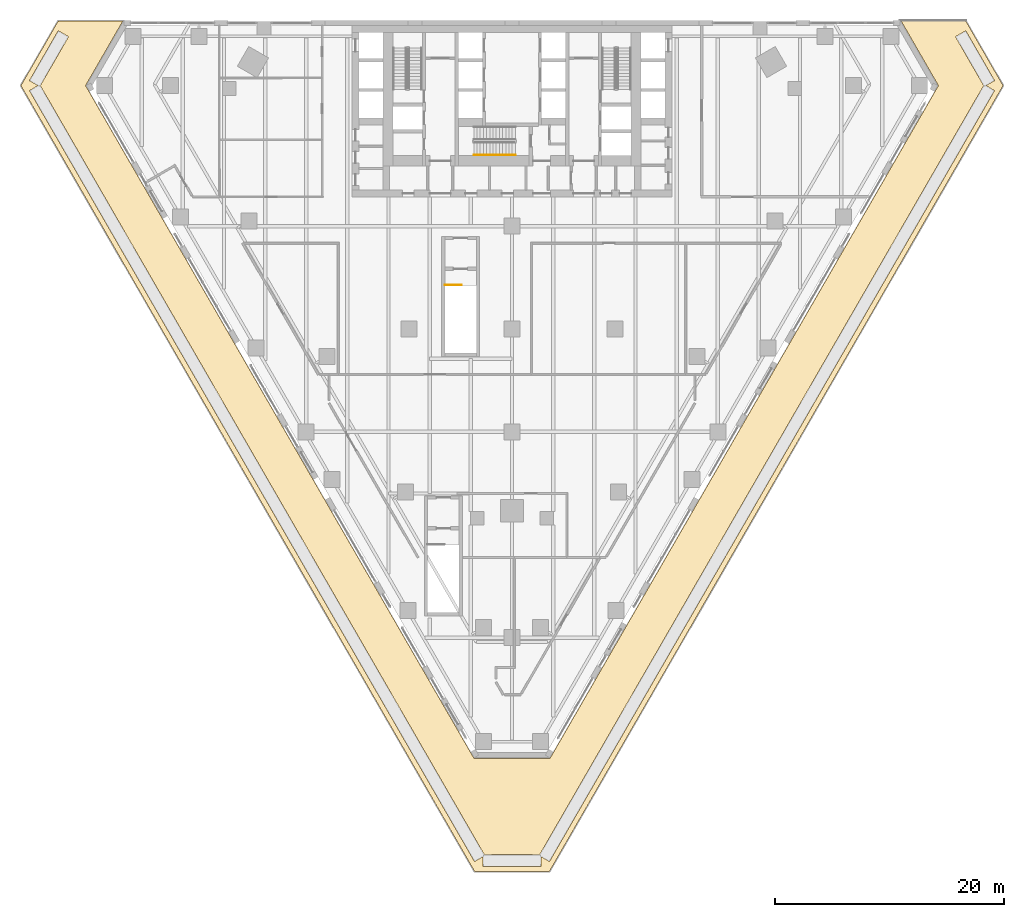
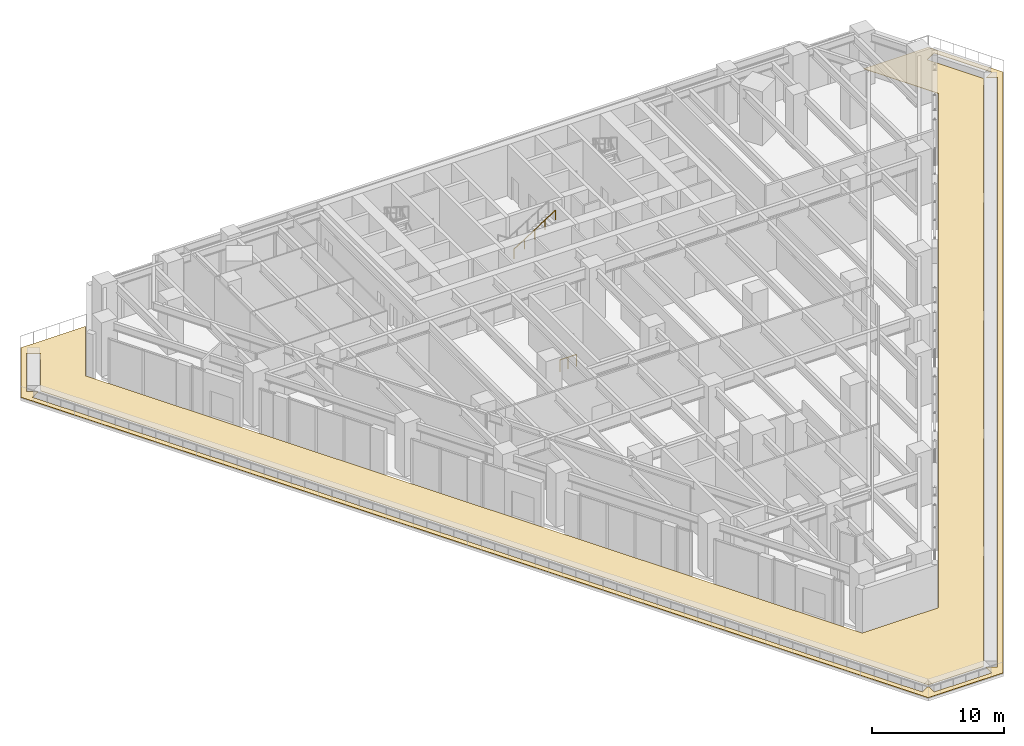
# One storey, part 29 of 31: 2 railings, 1 covering.
"""IFC4 building model written with IfcOpenShell, lengths in metres."""

from ifc_helpers import new_model, si_unit, direction, frame, origin, origin_2d, place, context, subcontext, project, spatial, polyline, circle, outline, extrude, material, layer, layer_set, type_object, element, save


model = new_model("IFC4")

# Units and contexts
model_context = context("Model", 3, precision=1e-05, world=origin(), true_north=direction((0.0, 1.0)))
body_context = subcontext(model_context, "Body", "Model", "MODEL_VIEW")
ifc_project = project(units=[si_unit("LENGTHUNIT", "METRE"), si_unit("AREAUNIT", "SQUARE_METRE"), si_unit("VOLUMEUNIT", "CUBIC_METRE"), si_unit("PLANEANGLEUNIT", "RADIAN"), si_unit("MASSUNIT", "GRAM", prefix="KILO")], contexts=[model_context])

# Site, building, storey
site_placement = place(None, origin())
site = spatial("IfcSite", under=ifc_project, at=site_placement, CompositionType="ELEMENT")
building_placement = place(site_placement, origin())
building = spatial("IfcBuilding", under=site, at=building_placement, Name="Aloe Facet Convention Tower", CompositionType="ELEMENT")
storey_placement = place(building_placement, frame((0.0, 0.0, 25.0)))
storey = spatial("IfcBuildingStorey", under=building, at=storey_placement, Name="L04", CompositionType="ELEMENT", Elevation=25.0)

# Railings
ifc_material_1 = material(Name="Steel S355 balustrade", Category="steel")
railing_type_1 = type_object("IfcRailingType", Name="CR-RL-GUARD", PredefinedType="GUARDRAIL", material=ifc_material_1)
railing_1_placement = place(storey_placement, frame((74.125, 111.85009765625, 0.0)))
element("IfcRailing", 1, at=railing_1_placement, inside=storey, type_object=railing_type_1, Name="L04 ST5 top well guard 1", PredefinedType="GUARDRAIL", context=body_context, shape_type="SweptSolid", body=[
    extrude(circle(Radius=0.02392578125, at=origin_2d()), frame((0.0, 0.0, 1.076171875), z_axis=(1.0, 0.0, 0.0), x_axis=(0.0, 1.0, 0.0)), (0.0, 0.0, 1.0), 1.449951171875),
    extrude(circle(Radius=0.02099609375, at=origin_2d()), origin(), (0.0, 0.0, 1.0), 1.052001953125),
    extrude(circle(Radius=0.02099609375, at=origin_2d()), frame((0.72509765625, 0.0, 0.0)), (0.0, 0.0, 1.0), 1.052001953125),
    extrude(circle(Radius=0.02099609375, at=origin_2d()), frame((1.449951171875, 0.0, 0.0)), (0.0, 0.0, 1.0), 1.052001953125),
])
ifc_material_2 = material(Name="Steel S355 handrail", Category="steel")
railing_type_2 = type_object("IfcRailingType", Name="CR-RL-HAND", PredefinedType="HANDRAIL", material=ifc_material_2)
railing_2_placement = place(storey_placement, frame((76.659912109375, 123.199951171875, 2.678466796875)))
element("IfcRailing", 2, at=railing_2_placement, inside=storey, type_object=railing_type_2, Name="L04 ST3 stair handrail 2", PredefinedType="HANDRAIL", context=body_context, shape_type="SweptSolid", body=[
    extrude(circle(Radius=0.02392578125, at=origin_2d()), frame((0.0, 0.0, 0.8759765625), z_axis=(0.843127859045, 0.0, 0.537713132908), x_axis=(0.0, 1.0, 0.0)), (0.0, 0.0, 1.0), 4.3173828125),
    extrude(circle(Radius=0.02099609375, at=origin_2d()), origin(), (0.0, 0.0, 1.0), 0.851806640625),
    extrude(circle(Radius=0.02099609375, at=origin_2d()), frame((0.91015625, 0.0, 0.580322265625)), (0.0, 0.0, 1.0), 0.851806640625),
    extrude(circle(Radius=0.02099609375, at=origin_2d()), frame((1.820068359375, 0.0, 1.16064453125)), (0.0, 0.0, 1.0), 0.851806640625),
    extrude(circle(Radius=0.02099609375, at=origin_2d()), frame((2.72998046875, 0.0, 1.7412109375)), (0.0, 0.0, 1.0), 0.851806640625),
    extrude(circle(Radius=0.02099609375, at=origin_2d()), frame((3.64013671875, 0.0, 2.321533203125)), (0.0, 0.0, 1.0), 0.851806640625),
])

# Covering
ifc_material_3 = material(Name="Granite paving, bedded", Category="masonry")
ifc_layer = layer(ifc_material_3, 0.0400390625)
ifc_layer_set = layer_set([ifc_layer], Name="EV-PAVING")
covering_type = type_object("IfcCoveringType", Name="EV-PAVING", PredefinedType="FLOORING", material=ifc_layer_set)
covering_placement = place(storey_placement, origin())
element("IfcCovering", 3, at=covering_placement, inside=storey, type_object=covering_type, Name="PAVING PT-L04-1-1", PredefinedType="FLOORING", context=body_context, shape_type="SweptSolid", body=[
    extrude(outline(polyline([(122.962890625, 129.2841796875), (83.271240234375, 60.536376953125), (76.728759765625, 60.536376953125), (37.037109375, 129.2841796875), (40.308349609375, 134.949951171875), (45.96630859375, 134.949951171875), (42.709716796875, 129.309326171875), (42.70751953125, 129.304931640625), (42.705810546875, 129.300537109375), (42.704345703125, 129.2958984375), (42.70361328125, 129.291259765625), (42.703125, 129.28662109375), (42.703125, 129.28173828125), (42.70361328125, 129.277099609375), (42.704345703125, 129.2724609375), (42.705810546875, 129.267822265625), (42.70751953125, 129.263427734375), (42.709716796875, 129.25927734375), (76.65673828125, 70.461181640625), (76.6591796875, 70.457275390625), (76.662109375, 70.45361328125), (76.66552734375, 70.4501953125), (76.669189453125, 70.447021484375), (76.6728515625, 70.4443359375), (76.677001953125, 70.44189453125), (76.681396484375, 70.43994140625), (76.68603515625, 70.438232421875), (76.6904296875, 70.437255859375), (76.6953125, 70.4365234375), (76.699951171875, 70.436279296875), (83.300048828125, 70.436279296875), (83.3046875, 70.4365234375), (83.3095703125, 70.437255859375), (83.31396484375, 70.438232421875), (83.318603515625, 70.43994140625), (83.322998046875, 70.44189453125), (83.3271484375, 70.4443359375), (83.330810546875, 70.447021484375), (83.33447265625, 70.4501953125), (83.337890625, 70.45361328125), (83.3408203125, 70.457275390625), (83.34326171875, 70.461181640625), (117.290283203125, 129.25927734375), (117.29248046875, 129.263427734375), (117.294189453125, 129.267822265625), (117.295654296875, 129.2724609375), (117.29638671875, 129.277099609375), (117.296875, 129.28173828125), (117.296875, 129.28662109375), (117.29638671875, 129.291259765625), (117.295654296875, 129.2958984375), (117.294189453125, 129.300537109375), (117.29248046875, 129.304931640625), (117.290283203125, 129.309326171875), (114.03369140625, 134.949951171875), (119.691650390625, 134.949951171875), (122.962890625, 129.2841796875)]), holes=[polyline([(77.47998046875, 61.83740234375), (77.47998046875, 60.986328125), (77.47998046875, 60.984375), (77.48046875, 60.982421875), (77.48095703125, 60.98046875), (77.4814453125, 60.978759765625), (77.482421875, 60.976806640625), (77.4833984375, 60.97509765625), (77.484619140625, 60.9736328125), (77.48583984375, 60.97216796875), (77.4873046875, 60.970947265625), (77.48876953125, 60.9697265625), (77.490478515625, 60.96875), (77.492431640625, 60.9677734375), (77.494140625, 60.967041015625), (77.49609375, 60.966796875), (77.498046875, 60.96630859375), (77.5, 60.96630859375), (82.5, 60.96630859375), (82.501953125, 60.96630859375), (82.50390625, 60.966796875), (82.505859375, 60.967041015625), (82.507568359375, 60.9677734375), (82.509521484375, 60.96875), (82.51123046875, 60.9697265625), (82.5126953125, 60.970947265625), (82.51416015625, 60.97216796875), (82.515380859375, 60.9736328125), (82.5166015625, 60.97509765625), (82.517578125, 60.976806640625), (82.5185546875, 60.978759765625), (82.51904296875, 60.98046875), (82.51953125, 60.982421875), (82.52001953125, 60.984375), (82.52001953125, 60.986328125), (82.52001953125, 61.83740234375), (83.257080078125, 61.411865234375), (83.2587890625, 61.410888671875), (83.260498046875, 61.41015625), (83.262451171875, 61.40966796875), (83.264404296875, 61.4091796875), (83.266357421875, 61.4091796875), (83.268310546875, 61.4091796875), (83.270263671875, 61.409423828125), (83.272216796875, 61.409912109375), (83.27392578125, 61.410400390625), (83.27587890625, 61.4111328125), (83.277587890625, 61.412109375), (83.279052734375, 61.413330078125), (83.28076171875, 61.41455078125), (83.281982421875, 61.416015625), (83.283203125, 61.41748046875), (83.284423828125, 61.419189453125), (122.204833984375, 128.831298828125), (122.205810546875, 128.833251953125), (122.20654296875, 128.8349609375), (122.20703125, 128.8369140625), (122.207275390625, 128.8388671875), (122.20751953125, 128.8408203125), (122.20751953125, 128.8427734375), (122.207275390625, 128.8447265625), (122.206787109375, 128.8466796875), (122.206298828125, 128.848388671875), (122.205322265625, 128.850341796875), (122.20458984375, 128.85205078125), (122.203369140625, 128.853515625), (122.2021484375, 128.85498046875), (122.20068359375, 128.8564453125), (122.19921875, 128.857666015625), (122.197509765625, 128.858642578125), (121.46044921875, 129.2841796875), (122.197509765625, 129.709716796875), (122.19921875, 129.710693359375), (122.20068359375, 129.7119140625), (122.2021484375, 129.71337890625), (122.203369140625, 129.71484375), (122.20458984375, 129.716552734375), (122.205322265625, 129.71826171875), (122.206298828125, 129.719970703125), (122.206787109375, 129.721923828125), (122.207275390625, 129.723876953125), (122.20751953125, 129.725830078125), (122.20751953125, 129.727783203125), (122.207275390625, 129.729736328125), (122.20703125, 129.731689453125), (122.20654296875, 129.7333984375), (122.205810546875, 129.7353515625), (122.204833984375, 129.737060546875), (119.704833984375, 134.067138671875), (119.703857421875, 134.06884765625), (119.70263671875, 134.0703125), (119.701171875, 134.07177734375), (119.69970703125, 134.072998046875), (119.697998046875, 134.07421875), (119.6962890625, 134.0751953125), (119.694580078125, 134.075927734375), (119.692626953125, 134.076416015625), (119.690673828125, 134.076904296875), (119.688720703125, 134.0771484375), (119.686767578125, 134.0771484375), (119.684814453125, 134.076904296875), (119.682861328125, 134.07666015625), (119.68115234375, 134.076171875), (119.67919921875, 134.075439453125), (119.677490234375, 134.074462890625), (118.8115234375, 133.574462890625), (118.809814453125, 133.573486328125), (118.808349609375, 133.572265625), (118.806884765625, 133.57080078125), (118.8056640625, 133.5693359375), (118.804443359375, 133.567626953125), (118.803466796875, 133.56591796875), (118.802734375, 133.564208984375), (118.80224609375, 133.562255859375), (118.8017578125, 133.560546875), (118.801513671875, 133.55859375), (118.801513671875, 133.556640625), (118.8017578125, 133.5546875), (118.802001953125, 133.552734375), (118.802490234375, 133.55078125), (118.80322265625, 133.548828125), (118.80419921875, 133.547119140625), (121.265380859375, 129.2841796875), (82.42236328125, 62.00634765625), (77.57763671875, 62.00634765625), (38.734619140625, 129.2841796875), (41.19580078125, 133.547119140625), (41.19677734375, 133.548828125), (41.197509765625, 133.55078125), (41.197998046875, 133.552734375), (41.1982421875, 133.5546875), (41.198486328125, 133.556640625), (41.198486328125, 133.55859375), (41.1982421875, 133.560546875), (41.19775390625, 133.562255859375), (41.197265625, 133.564208984375), (41.196533203125, 133.56591796875), (41.195556640625, 133.567626953125), (41.1943359375, 133.5693359375), (41.193115234375, 133.57080078125), (41.191650390625, 133.572265625), (41.190185546875, 133.573486328125), (41.1884765625, 133.574462890625), (40.322509765625, 134.074462890625), (40.32080078125, 134.075439453125), (40.31884765625, 134.076171875), (40.317138671875, 134.07666015625), (40.315185546875, 134.076904296875), (40.313232421875, 134.0771484375), (40.311279296875, 134.0771484375), (40.309326171875, 134.076904296875), (40.307373046875, 134.076416015625), (40.305419921875, 134.075927734375), (40.3037109375, 134.0751953125), (40.302001953125, 134.07421875), (40.30029296875, 134.072998046875), (40.298828125, 134.07177734375), (40.29736328125, 134.0703125), (40.296142578125, 134.06884765625), (40.295166015625, 134.067138671875), (37.795166015625, 129.737060546875), (37.794189453125, 129.7353515625), (37.79345703125, 129.7333984375), (37.79296875, 129.731689453125), (37.792724609375, 129.729736328125), (37.79248046875, 129.727783203125), (37.79248046875, 129.725830078125), (37.792724609375, 129.723876953125), (37.793212890625, 129.721923828125), (37.793701171875, 129.719970703125), (37.794677734375, 129.71826171875), (37.79541015625, 129.716552734375), (37.796630859375, 129.71484375), (37.7978515625, 129.71337890625), (37.79931640625, 129.7119140625), (37.80078125, 129.710693359375), (37.802490234375, 129.709716796875), (38.53955078125, 129.2841796875), (37.802490234375, 128.858642578125), (37.80078125, 128.857666015625), (37.79931640625, 128.8564453125), (37.7978515625, 128.85498046875), (37.796630859375, 128.853515625), (37.79541015625, 128.85205078125), (37.794677734375, 128.850341796875), (37.793701171875, 128.848388671875), (37.793212890625, 128.8466796875), (37.792724609375, 128.8447265625), (37.79248046875, 128.8427734375), (37.79248046875, 128.8408203125), (37.792724609375, 128.8388671875), (37.79296875, 128.8369140625), (37.79345703125, 128.8349609375), (37.794189453125, 128.833251953125), (37.795166015625, 128.831298828125), (76.715576171875, 61.419189453125), (76.716796875, 61.41748046875), (76.718017578125, 61.416015625), (76.71923828125, 61.41455078125), (76.720947265625, 61.413330078125), (76.722412109375, 61.412109375), (76.72412109375, 61.4111328125), (76.72607421875, 61.410400390625), (76.727783203125, 61.409912109375), (76.729736328125, 61.409423828125), (76.731689453125, 61.4091796875), (76.733642578125, 61.4091796875), (76.735595703125, 61.4091796875), (76.737548828125, 61.40966796875), (76.739501953125, 61.41015625), (76.7412109375, 61.410888671875), (76.742919921875, 61.411865234375), (77.47998046875, 61.83740234375)])]), origin(), (0.0, 0.0, 1.0), 0.0400390625),
])

save(model, "model.ifc")
